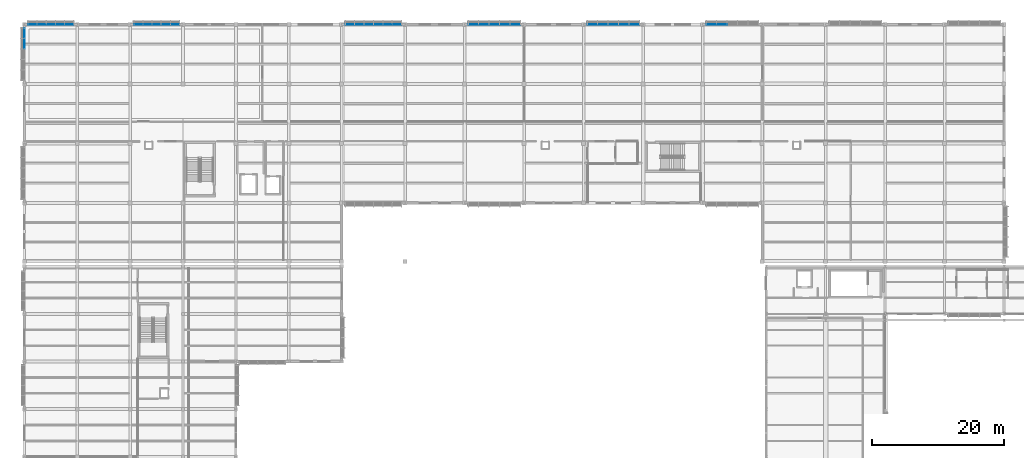
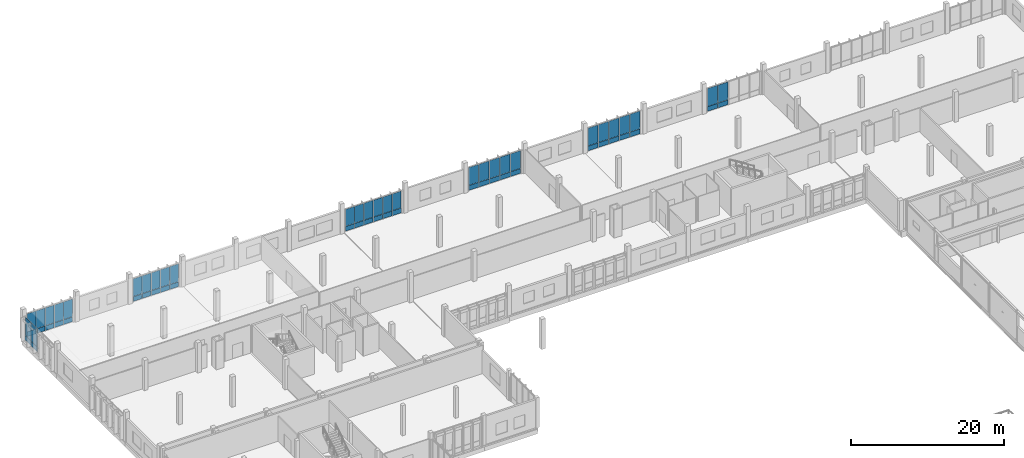
# One storey, part 143 of 177: 60 plates, 7 elements without a shape of their own.
"""IFC4 building model written with IfcOpenShell, lengths in metres."""

from ifc_helpers import new_model, si_unit, direction, frame, origin, origin_2d, place, context, subcontext, project, spatial, rectangle, extrude, material, layer, layer_set, type_object, element, aggregate, save


model = new_model("IFC4")

# Units and contexts
model_context = context("Model", 3, precision=1e-05, world=origin(), true_north=direction((0.0, 1.0)))
body_context = subcontext(model_context, "Body", "Model", "MODEL_VIEW")
ifc_project = project(units=[si_unit("LENGTHUNIT", "METRE"), si_unit("AREAUNIT", "SQUARE_METRE"), si_unit("VOLUMEUNIT", "CUBIC_METRE"), si_unit("PLANEANGLEUNIT", "RADIAN"), si_unit("MASSUNIT", "GRAM", prefix="KILO")], contexts=[model_context])

# Site, building, storey
site_placement = place(None, origin())
site = spatial("IfcSite", under=ifc_project, at=site_placement, CompositionType="ELEMENT")
building_placement = place(site_placement, origin())
building = spatial("IfcBuilding", under=site, at=building_placement, Name="Chiffa Square Polytechnic", CompositionType="ELEMENT")
storey_placement = place(building_placement, frame((0.0, 0.0, 4.800048828125)))
storey = spatial("IfcBuildingStorey", under=building, at=storey_placement, Name="L01", CompositionType="ELEMENT", Elevation=4.800048828125)

# Curtain wall, plates
ifc_material_1 = material(Name="Aluminium EN AW-6060 T66 and glulam shading", Category="wood")
curtain_wall_type_1 = type_object("IfcCurtainWallType", Name="CW-VERT-450X440", PredefinedType="USERDEFINED", material=ifc_material_1)
curtain_wall_1_placement = place(storey_placement, origin())
curtain_wall_1 = element("IfcCurtainWall", 1, at=curtain_wall_1_placement, inside=storey, type_object=curtain_wall_type_1, Name="Curtain wall CW-V5-L01-208", ObjectType="CURTAIN WALL", PredefinedType="USERDEFINED")
ifc_material_2 = material(Name="Double glazing", Category="glass")
ifc_layer_1 = layer(ifc_material_2, 0.035888671875, Name="Double glazing")
ifc_layer_set_1 = layer_set([ifc_layer_1], Name="Double glazing")
plate_type_1 = type_object("IfcPlateType", Name="CWP-GLZ-120X145", PredefinedType="CURTAIN_PANEL", material=ifc_layer_set_1)
plate_1_placement = place(storey_placement, frame((56.339111328125, 130.800048828125, 0.84033203125), z_axis=(0.0, 0.0, 1.0), x_axis=(-1.0, 0.0, 0.0)))
plate_1 = element("IfcPlate", 2, at=plate_1_placement, type_object=plate_type_1, Name="Glazed curtain panel CW-V5-L01-208-PN01", PredefinedType="CURTAIN_PANEL", context=body_context, shape_type="SweptSolid", body=[
    extrude(rectangle(XDim=1.345947265625, YDim=0.035888671875, at=origin_2d()), origin(), (0.0, 0.0, 1.0), 2.675048828125),
])
plate_2_placement = place(storey_placement, frame((54.929931640625, 130.800048828125, 0.84033203125), z_axis=(0.0, 0.0, 1.0), x_axis=(-1.0, 0.0, 0.0)))
plate_2 = element("IfcPlate", 3, at=plate_2_placement, type_object=plate_type_1, Name="Glazed curtain panel CW-V5-L01-208-PN02", PredefinedType="CURTAIN_PANEL", context=body_context, shape_type="SweptSolid", body=[
    extrude(rectangle(XDim=1.367919921875, YDim=0.035888671875, at=origin_2d()), origin(), (0.0, 0.0, 1.0), 2.675048828125),
])
plate_3_placement = place(storey_placement, frame((53.510009765625, 130.800048828125, 0.84033203125), z_axis=(0.0, 0.0, 1.0), x_axis=(-1.0, 0.0, 0.0)))
plate_3 = element("IfcPlate", 4, at=plate_3_placement, type_object=plate_type_1, Name="Glazed curtain panel CW-V5-L01-208-PN03", PredefinedType="CURTAIN_PANEL", context=body_context, shape_type="SweptSolid", body=[
    extrude(rectangle(XDim=1.367919921875, YDim=0.035888671875, at=origin_2d()), origin(), (0.0, 0.0, 1.0), 2.675048828125),
])
plate_4_placement = place(storey_placement, frame((52.090087890625, 130.800048828125, 0.84033203125), z_axis=(0.0, 0.0, 1.0), x_axis=(-1.0, 0.0, 0.0)))
plate_4 = element("IfcPlate", 5, at=plate_4_placement, type_object=plate_type_1, Name="Glazed curtain panel CW-V5-L01-208-PN04", PredefinedType="CURTAIN_PANEL", context=body_context, shape_type="SweptSolid", body=[
    extrude(rectangle(XDim=1.367919921875, YDim=0.035888671875, at=origin_2d()), origin(), (0.0, 0.0, 1.0), 2.675048828125),
])
plate_5_placement = place(storey_placement, frame((50.669921875, 130.800048828125, 0.84033203125), z_axis=(0.0, 0.0, 1.0), x_axis=(-1.0, 0.0, 0.0)))
plate_5 = element("IfcPlate", 6, at=plate_5_placement, type_object=plate_type_1, Name="Glazed curtain panel CW-V5-L01-208-PN05", PredefinedType="CURTAIN_PANEL", context=body_context, shape_type="SweptSolid", body=[
    extrude(rectangle(XDim=1.367919921875, YDim=0.035888671875, at=origin_2d()), origin(), (0.0, 0.0, 1.0), 2.675048828125),
])
plate_6_placement = place(storey_placement, frame((49.260986328125, 130.800048828125, 0.84033203125), z_axis=(0.0, 0.0, 1.0), x_axis=(-1.0, 0.0, 0.0)))
plate_6 = element("IfcPlate", 7, at=plate_6_placement, type_object=plate_type_1, Name="Glazed curtain panel CW-V5-L01-208-PN06", PredefinedType="CURTAIN_PANEL", context=body_context, shape_type="SweptSolid", body=[
    extrude(rectangle(XDim=1.345947265625, YDim=0.035888671875, at=origin_2d()), origin(), (0.0, 0.0, 1.0), 2.675048828125),
])

curtain_wall_type_2 = type_object("IfcCurtainWallType", Name="CW-VERT-360X380", PredefinedType="USERDEFINED", material=ifc_material_1)
curtain_wall_2_placement = place(storey_placement, origin())
curtain_wall_2 = element("IfcCurtainWall", 8, at=curtain_wall_2_placement, inside=storey, type_object=curtain_wall_type_2, Name="Curtain wall CW-V5-L01-205", ObjectType="CURTAIN WALL", PredefinedType="USERDEFINED")
ifc_layer_2 = layer(ifc_material_2, 0.0458984375, Name="Double glazing")
ifc_layer_set_2 = layer_set([ifc_layer_2], Name="Double glazing")
plate_type_2 = type_object("IfcPlateType", Name="CWP-GLZ-128X106", PredefinedType="CURTAIN_PANEL", material=ifc_layer_set_2)
plate_7_placement = place(storey_placement, frame((105.51611328125, 130.800048828125, 0.84033203125), z_axis=(0.0, 0.0, 1.0), x_axis=(-1.0, 0.0, 0.0)))
plate_7 = element("IfcPlate", 9, at=plate_7_placement, type_object=plate_type_2, Name="Glazed curtain panel CW-V5-L01-205-PN04", PredefinedType="CURTAIN_PANEL", context=body_context, shape_type="SweptSolid", body=[
    extrude(rectangle(XDim=1.531982421875, YDim=0.0458984375, at=origin_2d()), origin(), (0.0, 0.0, 1.0), 2.824951171875),
])
plate_8_placement = place(storey_placement, frame((103.943115234375, 130.800048828125, 0.84033203125), z_axis=(0.0, 0.0, 1.0), x_axis=(-1.0, 0.0, 0.0)))
plate_8 = element("IfcPlate", 10, at=plate_8_placement, type_object=plate_type_2, Name="Glazed curtain panel CW-V5-L01-205-PN05", PredefinedType="CURTAIN_PANEL", context=body_context, shape_type="SweptSolid", body=[
    extrude(rectangle(XDim=1.510009765625, YDim=0.0458984375, at=origin_2d()), origin(), (0.0, 0.0, 1.0), 2.824951171875),
])

curtain_wall_type_3 = type_object("IfcCurtainWallType", Name="CW-VERT-300X380", PredefinedType="USERDEFINED", material=ifc_material_1)
curtain_wall_3_placement = place(storey_placement, origin())
curtain_wall_3 = element("IfcCurtainWall", 11, at=curtain_wall_3_placement, inside=storey, type_object=curtain_wall_type_3, Name="Curtain wall CW-V5-L01-211", ObjectType="CURTAIN WALL", PredefinedType="USERDEFINED")
ifc_layer_3 = layer(ifc_material_2, 0.0380859375, Name="Double glazing")
ifc_layer_set_3 = layer_set([ifc_layer_3], Name="Double glazing")
plate_type_3 = type_object("IfcPlateType", Name="CWP-GLZ-146X138", PredefinedType="CURTAIN_PANEL", material=ifc_layer_set_3)
plate_9_placement = place(storey_placement, frame((0.0, 129.45703125, 0.84033203125), z_axis=(0.0, 0.0, 1.0), x_axis=(0.0, -1.0, 0.0)))
plate_9 = element("IfcPlate", 12, at=plate_9_placement, type_object=plate_type_3, Name="Glazed curtain panel CW-V5-L01-211-PN01", PredefinedType="CURTAIN_PANEL", context=body_context, shape_type="SweptSolid", body=[
    extrude(rectangle(XDim=1.510009765625, YDim=0.0380859375, at=origin_2d()), origin(), (0.0, 0.0, 1.0), 2.925048828125),
])
plate_10_placement = place(storey_placement, frame((0.0, 127.884033203125, 0.84033203125), z_axis=(0.0, 0.0, 1.0), x_axis=(0.0, -1.0, 0.0)))
plate_10 = element("IfcPlate", 13, at=plate_10_placement, type_object=plate_type_3, Name="Glazed curtain panel CW-V5-L01-211-PN02", PredefinedType="CURTAIN_PANEL", context=body_context, shape_type="SweptSolid", body=[
    extrude(rectangle(XDim=1.531982421875, YDim=0.0380859375, at=origin_2d()), origin(), (0.0, 0.0, 1.0), 2.925048828125),
])

curtain_wall_type_4 = type_object("IfcCurtainWallType", Name="CW-VERT-450X380", PredefinedType="USERDEFINED", material=ifc_material_1)
curtain_wall_4_placement = place(storey_placement, origin())
curtain_wall_4 = element("IfcCurtainWall", 14, at=curtain_wall_4_placement, inside=storey, type_object=curtain_wall_type_4, Name="Curtain wall CW-V5-L01-210", ObjectType="CURTAIN WALL", PredefinedType="USERDEFINED")
ifc_layer_4 = layer(ifc_material_2, 0.0380859375, Name="Double glazing")
ifc_layer_set_4 = layer_set([ifc_layer_4], Name="Double glazing")
plate_type_4 = type_object("IfcPlateType", Name="CWP-GLZ-148X142", PredefinedType="CURTAIN_PANEL", material=ifc_layer_set_4)
plate_11_placement = place(storey_placement, frame((6.757080078125, 130.800048828125, 0.84033203125), z_axis=(0.0, 0.0, 1.0), x_axis=(-1.0, 0.0, 0.0)))
plate_11 = element("IfcPlate", 15, at=plate_11_placement, type_object=plate_type_4, Name="Glazed curtain panel CW-V5-L01-210-PN01", PredefinedType="CURTAIN_PANEL", context=body_context, shape_type="SweptSolid", body=[
    extrude(rectangle(XDim=1.31005859375, YDim=0.0380859375, at=origin_2d()), origin(), (0.0, 0.0, 1.0), 2.824951171875),
])
plate_12_placement = place(storey_placement, frame((5.384033203125, 130.800048828125, 0.84033203125), z_axis=(0.0, 0.0, 1.0), x_axis=(-1.0, 0.0, 0.0)))
plate_12 = element("IfcPlate", 16, at=plate_12_placement, type_object=plate_type_4, Name="Glazed curtain panel CW-V5-L01-210-PN02", PredefinedType="CURTAIN_PANEL", context=body_context, shape_type="SweptSolid", body=[
    extrude(rectangle(XDim=1.33203125, YDim=0.0380859375, at=origin_2d()), origin(), (0.0, 0.0, 1.0), 2.824951171875),
])
plate_13_placement = place(storey_placement, frame((4.0, 130.800048828125, 0.84033203125), z_axis=(0.0, 0.0, 1.0), x_axis=(-1.0, 0.0, 0.0)))
plate_13 = element("IfcPlate", 17, at=plate_13_placement, type_object=plate_type_4, Name="Glazed curtain panel CW-V5-L01-210-PN03", PredefinedType="CURTAIN_PANEL", context=body_context, shape_type="SweptSolid", body=[
    extrude(rectangle(XDim=1.33203125, YDim=0.0380859375, at=origin_2d()), origin(), (0.0, 0.0, 1.0), 2.824951171875),
])
plate_14_placement = place(storey_placement, frame((2.615966796875, 130.800048828125, 0.84033203125), z_axis=(0.0, 0.0, 1.0), x_axis=(-1.0, 0.0, 0.0)))
plate_14 = element("IfcPlate", 18, at=plate_14_placement, type_object=plate_type_4, Name="Glazed curtain panel CW-V5-L01-210-PN04", PredefinedType="CURTAIN_PANEL", context=body_context, shape_type="SweptSolid", body=[
    extrude(rectangle(XDim=1.33203125, YDim=0.0380859375, at=origin_2d()), origin(), (0.0, 0.0, 1.0), 2.824951171875),
])
plate_15_placement = place(storey_placement, frame((1.242919921875, 130.800048828125, 0.84033203125), z_axis=(0.0, 0.0, 1.0), x_axis=(-1.0, 0.0, 0.0)))
plate_15 = element("IfcPlate", 19, at=plate_15_placement, type_object=plate_type_4, Name="Glazed curtain panel CW-V5-L01-210-PN05", PredefinedType="CURTAIN_PANEL", context=body_context, shape_type="SweptSolid", body=[
    extrude(rectangle(XDim=1.31005859375, YDim=0.0380859375, at=origin_2d()), origin(), (0.0, 0.0, 1.0), 2.824951171875),
])

curtain_wall_type_5 = type_object("IfcCurtainWallType", Name="CW-VERT-540X440", PredefinedType="USERDEFINED", material=ifc_material_1)
curtain_wall_5_placement = place(storey_placement, origin())
curtain_wall_5 = element("IfcCurtainWall", 20, at=curtain_wall_5_placement, inside=storey, type_object=curtain_wall_type_5, Name="Curtain wall CW-V5-L01-207", ObjectType="CURTAIN WALL", PredefinedType="USERDEFINED")
ifc_layer_5 = layer(ifc_material_2, 0.035888671875, Name="Double glazing")
ifc_layer_set_5 = layer_set([ifc_layer_5], Name="Double glazing")
plate_type_5 = type_object("IfcPlateType", Name="CWP-GLZ-150X125", PredefinedType="CURTAIN_PANEL", material=ifc_layer_set_5)
plate_16_placement = place(storey_placement, frame((74.257080078125, 130.800048828125, 0.84033203125), z_axis=(0.0, 0.0, 1.0), x_axis=(-1.0, 0.0, 0.0)))
plate_16 = element("IfcPlate", 21, at=plate_16_placement, type_object=plate_type_5, Name="Glazed curtain panel CW-V5-L01-207-PN01", PredefinedType="CURTAIN_PANEL", context=body_context, shape_type="SweptSolid", body=[
    extrude(rectangle(XDim=1.510009765625, YDim=0.035888671875, at=origin_2d()), origin(), (0.0, 0.0, 1.0), 2.824951171875),
])
plate_17_placement = place(storey_placement, frame((72.68408203125, 130.800048828125, 0.84033203125), z_axis=(0.0, 0.0, 1.0), x_axis=(-1.0, 0.0, 0.0)))
plate_17 = element("IfcPlate", 22, at=plate_17_placement, type_object=plate_type_5, Name="Glazed curtain panel CW-V5-L01-207-PN02", PredefinedType="CURTAIN_PANEL", context=body_context, shape_type="SweptSolid", body=[
    extrude(rectangle(XDim=1.531982421875, YDim=0.035888671875, at=origin_2d()), origin(), (0.0, 0.0, 1.0), 2.824951171875),
])
plate_18_placement = place(storey_placement, frame((71.10009765625, 130.800048828125, 0.84033203125), z_axis=(0.0, 0.0, 1.0), x_axis=(-1.0, 0.0, 0.0)))
plate_18 = element("IfcPlate", 23, at=plate_18_placement, type_object=plate_type_5, Name="Glazed curtain panel CW-V5-L01-207-PN03", PredefinedType="CURTAIN_PANEL", context=body_context, shape_type="SweptSolid", body=[
    extrude(rectangle(XDim=1.531982421875, YDim=0.035888671875, at=origin_2d()), origin(), (0.0, 0.0, 1.0), 2.824951171875),
])
plate_19_placement = place(storey_placement, frame((69.51611328125, 130.800048828125, 0.84033203125), z_axis=(0.0, 0.0, 1.0), x_axis=(-1.0, 0.0, 0.0)))
plate_19 = element("IfcPlate", 24, at=plate_19_placement, type_object=plate_type_5, Name="Glazed curtain panel CW-V5-L01-207-PN04", PredefinedType="CURTAIN_PANEL", context=body_context, shape_type="SweptSolid", body=[
    extrude(rectangle(XDim=1.531982421875, YDim=0.035888671875, at=origin_2d()), origin(), (0.0, 0.0, 1.0), 2.824951171875),
])
plate_20_placement = place(storey_placement, frame((67.943115234375, 130.800048828125, 0.84033203125), z_axis=(0.0, 0.0, 1.0), x_axis=(-1.0, 0.0, 0.0)))
plate_20 = element("IfcPlate", 25, at=plate_20_placement, type_object=plate_type_5, Name="Glazed curtain panel CW-V5-L01-207-PN05", PredefinedType="CURTAIN_PANEL", context=body_context, shape_type="SweptSolid", body=[
    extrude(rectangle(XDim=1.510009765625, YDim=0.035888671875, at=origin_2d()), origin(), (0.0, 0.0, 1.0), 2.824951171875),
])

curtain_wall_type_6 = type_object("IfcCurtainWallType", Name="CW-VERT-480X380", PredefinedType="USERDEFINED", material=ifc_material_1)
curtain_wall_6_placement = place(storey_placement, origin())
curtain_wall_6 = element("IfcCurtainWall", 26, at=curtain_wall_6_placement, inside=storey, type_object=curtain_wall_type_6, Name="Curtain wall CW-V5-L01-206", ObjectType="CURTAIN WALL", PredefinedType="USERDEFINED")
ifc_layer_6 = layer(ifc_material_2, 0.035888671875, Name="Double glazing")
ifc_layer_set_6 = layer_set([ifc_layer_6], Name="Double glazing")
plate_type_6 = type_object("IfcPlateType", Name="CWP-GLZ-150X145", PredefinedType="CURTAIN_PANEL", material=ifc_layer_set_6)
plate_21_placement = place(storey_placement, frame((92.257080078125, 130.800048828125, 0.84033203125), z_axis=(0.0, 0.0, 1.0), x_axis=(-1.0, 0.0, 0.0)))
plate_21 = element("IfcPlate", 27, at=plate_21_placement, type_object=plate_type_6, Name="Glazed curtain panel CW-V5-L01-206-PN01", PredefinedType="CURTAIN_PANEL", context=body_context, shape_type="SweptSolid", body=[
    extrude(rectangle(XDim=1.510009765625, YDim=0.035888671875, at=origin_2d()), origin(), (0.0, 0.0, 1.0), 2.824951171875),
])
plate_22_placement = place(storey_placement, frame((90.68408203125, 130.800048828125, 0.84033203125), z_axis=(0.0, 0.0, 1.0), x_axis=(-1.0, 0.0, 0.0)))
plate_22 = element("IfcPlate", 28, at=plate_22_placement, type_object=plate_type_6, Name="Glazed curtain panel CW-V5-L01-206-PN02", PredefinedType="CURTAIN_PANEL", context=body_context, shape_type="SweptSolid", body=[
    extrude(rectangle(XDim=1.531982421875, YDim=0.035888671875, at=origin_2d()), origin(), (0.0, 0.0, 1.0), 2.824951171875),
])
plate_23_placement = place(storey_placement, frame((89.10009765625, 130.800048828125, 0.84033203125), z_axis=(0.0, 0.0, 1.0), x_axis=(-1.0, 0.0, 0.0)))
plate_23 = element("IfcPlate", 29, at=plate_23_placement, type_object=plate_type_6, Name="Glazed curtain panel CW-V5-L01-206-PN03", PredefinedType="CURTAIN_PANEL", context=body_context, shape_type="SweptSolid", body=[
    extrude(rectangle(XDim=1.531982421875, YDim=0.035888671875, at=origin_2d()), origin(), (0.0, 0.0, 1.0), 2.824951171875),
])
plate_24_placement = place(storey_placement, frame((87.51611328125, 130.800048828125, 0.84033203125), z_axis=(0.0, 0.0, 1.0), x_axis=(-1.0, 0.0, 0.0)))
plate_24 = element("IfcPlate", 30, at=plate_24_placement, type_object=plate_type_6, Name="Glazed curtain panel CW-V5-L01-206-PN04", PredefinedType="CURTAIN_PANEL", context=body_context, shape_type="SweptSolid", body=[
    extrude(rectangle(XDim=1.531982421875, YDim=0.035888671875, at=origin_2d()), origin(), (0.0, 0.0, 1.0), 2.824951171875),
])
plate_25_placement = place(storey_placement, frame((85.943115234375, 130.800048828125, 0.84033203125), z_axis=(0.0, 0.0, 1.0), x_axis=(-1.0, 0.0, 0.0)))
plate_25 = element("IfcPlate", 31, at=plate_25_placement, type_object=plate_type_6, Name="Glazed curtain panel CW-V5-L01-206-PN05", PredefinedType="CURTAIN_PANEL", context=body_context, shape_type="SweptSolid", body=[
    extrude(rectangle(XDim=1.510009765625, YDim=0.035888671875, at=origin_2d()), origin(), (0.0, 0.0, 1.0), 2.824951171875),
])

curtain_wall_type_7 = type_object("IfcCurtainWallType", Name="CW-VERT-600X440", PredefinedType="USERDEFINED", material=ifc_material_1)
curtain_wall_7_placement = place(storey_placement, origin())
curtain_wall_7 = element("IfcCurtainWall", 32, at=curtain_wall_7_placement, inside=storey, type_object=curtain_wall_type_7, Name="Curtain wall CW-V5-L01-209", ObjectType="CURTAIN WALL", PredefinedType="USERDEFINED")
ifc_layer_7 = layer(ifc_material_2, 0.035888671875, Name="Double glazing")
ifc_layer_set_7 = layer_set([ifc_layer_7], Name="Double glazing")
plate_type_7 = type_object("IfcPlateType", Name="CWP-GLZ-180X140", PredefinedType="CURTAIN_PANEL", material=ifc_layer_set_7)
plate_26_placement = place(storey_placement, frame((22.757080078125, 130.800048828125, 0.84033203125), z_axis=(0.0, 0.0, 1.0), x_axis=(-1.0, 0.0, 0.0)))
plate_26 = element("IfcPlate", 33, at=plate_26_placement, type_object=plate_type_7, Name="Glazed curtain panel CW-V5-L01-209-PN01", PredefinedType="CURTAIN_PANEL", context=body_context, shape_type="SweptSolid", body=[
    extrude(rectangle(XDim=1.31005859375, YDim=0.035888671875, at=origin_2d()), origin(), (0.0, 0.0, 1.0), 2.824951171875),
])
plate_27_placement = place(storey_placement, frame((21.384033203125, 130.800048828125, 0.84033203125), z_axis=(0.0, 0.0, 1.0), x_axis=(-1.0, 0.0, 0.0)))
plate_27 = element("IfcPlate", 34, at=plate_27_placement, type_object=plate_type_7, Name="Glazed curtain panel CW-V5-L01-209-PN02", PredefinedType="CURTAIN_PANEL", context=body_context, shape_type="SweptSolid", body=[
    extrude(rectangle(XDim=1.33203125, YDim=0.035888671875, at=origin_2d()), origin(), (0.0, 0.0, 1.0), 2.824951171875),
])
plate_28_placement = place(storey_placement, frame((20.0, 130.800048828125, 0.84033203125), z_axis=(0.0, 0.0, 1.0), x_axis=(-1.0, 0.0, 0.0)))
plate_28 = element("IfcPlate", 35, at=plate_28_placement, type_object=plate_type_7, Name="Glazed curtain panel CW-V5-L01-209-PN03", PredefinedType="CURTAIN_PANEL", context=body_context, shape_type="SweptSolid", body=[
    extrude(rectangle(XDim=1.33203125, YDim=0.035888671875, at=origin_2d()), origin(), (0.0, 0.0, 1.0), 2.824951171875),
])
plate_29_placement = place(storey_placement, frame((18.615966796875, 130.800048828125, 0.84033203125), z_axis=(0.0, 0.0, 1.0), x_axis=(-1.0, 0.0, 0.0)))
plate_29 = element("IfcPlate", 36, at=plate_29_placement, type_object=plate_type_7, Name="Glazed curtain panel CW-V5-L01-209-PN04", PredefinedType="CURTAIN_PANEL", context=body_context, shape_type="SweptSolid", body=[
    extrude(rectangle(XDim=1.33203125, YDim=0.035888671875, at=origin_2d()), origin(), (0.0, 0.0, 1.0), 2.824951171875),
])
plate_30_placement = place(storey_placement, frame((17.242919921875, 130.800048828125, 0.84033203125), z_axis=(0.0, 0.0, 1.0), x_axis=(-1.0, 0.0, 0.0)))
plate_30 = element("IfcPlate", 37, at=plate_30_placement, type_object=plate_type_7, Name="Glazed curtain panel CW-V5-L01-209-PN05", PredefinedType="CURTAIN_PANEL", context=body_context, shape_type="SweptSolid", body=[
    extrude(rectangle(XDim=1.31005859375, YDim=0.035888671875, at=origin_2d()), origin(), (0.0, 0.0, 1.0), 2.824951171875),
])

# Plate
ifc_material_3 = material(Name="Aluminium insulated spandrel", Category="aluminium")
ifc_layer_8 = layer(ifc_material_3, 0.072021484375, Name="Aluminium insulated spandrel")
ifc_layer_set_8 = layer_set([ifc_layer_8], Name="Aluminium insulated spandrel")
plate_type_8 = type_object("IfcPlateType", Name="CWP-SPN-136X072", PredefinedType="SHEET", material=ifc_layer_set_8)
plate_31_placement = place(storey_placement, frame((105.51611328125, 130.800048828125, 0.050048828125), z_axis=(0.0, 0.0, 1.0), x_axis=(-1.0, 0.0, 0.0)))
plate_31 = element("IfcPlate", 38, at=plate_31_placement, type_object=plate_type_8, Name="Spandrel panel CW-V5-L01-205-SP04", PredefinedType="SHEET", context=body_context, shape_type="SweptSolid", body=[
    extrude(rectangle(XDim=1.531982421875, YDim=0.072021484375, at=origin_2d()), origin(), (0.0, 0.0, 1.0), 0.75),
])

plate_32_placement = place(storey_placement, frame((103.943115234375, 130.800048828125, 0.050048828125), z_axis=(0.0, 0.0, 1.0), x_axis=(-1.0, 0.0, 0.0)))
plate_32 = element("IfcPlate", 39, at=plate_32_placement, type_object=plate_type_8, Name="Spandrel panel CW-V5-L01-205-SP05", PredefinedType="SHEET", context=body_context, shape_type="SweptSolid", body=[
    extrude(rectangle(XDim=1.510009765625, YDim=0.072021484375, at=origin_2d()), origin(), (0.0, 0.0, 1.0), 0.75),
])

aggregate(curtain_wall_2, [plate_31, plate_7, plate_32, plate_8])

ifc_layer_9 = layer(ifc_material_3, 0.068115234375, Name="Aluminium insulated spandrel")
ifc_layer_set_9 = layer_set([ifc_layer_9], Name="Aluminium insulated spandrel")
plate_type_9 = type_object("IfcPlateType", Name="CWP-SPN-140X076", PredefinedType="SHEET", material=ifc_layer_set_9)
plate_33_placement = place(storey_placement, frame((0.0, 129.45703125, 0.050048828125), z_axis=(0.0, 0.0, 1.0), x_axis=(0.0, -1.0, 0.0)))
plate_33 = element("IfcPlate", 40, at=plate_33_placement, type_object=plate_type_9, Name="Spandrel panel CW-V5-L01-211-SP01", PredefinedType="SHEET", context=body_context, shape_type="SweptSolid", body=[
    extrude(rectangle(XDim=1.510009765625, YDim=0.068115234375, at=origin_2d()), origin(), (0.0, 0.0, 1.0), 0.75),
])

plate_34_placement = place(storey_placement, frame((0.0, 127.884033203125, 0.050048828125), z_axis=(0.0, 0.0, 1.0), x_axis=(0.0, -1.0, 0.0)))
plate_34 = element("IfcPlate", 41, at=plate_34_placement, type_object=plate_type_9, Name="Spandrel panel CW-V5-L01-211-SP02", PredefinedType="SHEET", context=body_context, shape_type="SweptSolid", body=[
    extrude(rectangle(XDim=1.531982421875, YDim=0.068115234375, at=origin_2d()), origin(), (0.0, 0.0, 1.0), 0.75),
])

aggregate(curtain_wall_3, [plate_33, plate_9, plate_34, plate_10])

ifc_layer_10 = layer(ifc_material_3, 0.06591796875, Name="Aluminium insulated spandrel")
ifc_layer_set_10 = layer_set([ifc_layer_10], Name="Aluminium insulated spandrel")
plate_type_10 = type_object("IfcPlateType", Name="CWP-SPN-144X078", PredefinedType="SHEET", material=ifc_layer_set_10)
plate_35_placement = place(storey_placement, frame((6.757080078125, 130.800048828125, 0.050048828125), z_axis=(0.0, 0.0, 1.0), x_axis=(-1.0, 0.0, 0.0)))
plate_35 = element("IfcPlate", 42, at=plate_35_placement, type_object=plate_type_10, Name="Spandrel panel CW-V5-L01-210-SP01", PredefinedType="SHEET", context=body_context, shape_type="SweptSolid", body=[
    extrude(rectangle(XDim=1.31005859375, YDim=0.06591796875, at=origin_2d()), origin(), (0.0, 0.0, 1.0), 0.75),
])

plate_36_placement = place(storey_placement, frame((5.384033203125, 130.800048828125, 0.050048828125), z_axis=(0.0, 0.0, 1.0), x_axis=(-1.0, 0.0, 0.0)))
plate_36 = element("IfcPlate", 43, at=plate_36_placement, type_object=plate_type_10, Name="Spandrel panel CW-V5-L01-210-SP02", PredefinedType="SHEET", context=body_context, shape_type="SweptSolid", body=[
    extrude(rectangle(XDim=1.33203125, YDim=0.06591796875, at=origin_2d()), origin(), (0.0, 0.0, 1.0), 0.75),
])

plate_37_placement = place(storey_placement, frame((4.0, 130.800048828125, 0.050048828125), z_axis=(0.0, 0.0, 1.0), x_axis=(-1.0, 0.0, 0.0)))
plate_37 = element("IfcPlate", 44, at=plate_37_placement, type_object=plate_type_10, Name="Spandrel panel CW-V5-L01-210-SP03", PredefinedType="SHEET", context=body_context, shape_type="SweptSolid", body=[
    extrude(rectangle(XDim=1.33203125, YDim=0.06591796875, at=origin_2d()), origin(), (0.0, 0.0, 1.0), 0.75),
])

plate_38_placement = place(storey_placement, frame((2.615966796875, 130.800048828125, 0.050048828125), z_axis=(0.0, 0.0, 1.0), x_axis=(-1.0, 0.0, 0.0)))
plate_38 = element("IfcPlate", 45, at=plate_38_placement, type_object=plate_type_10, Name="Spandrel panel CW-V5-L01-210-SP04", PredefinedType="SHEET", context=body_context, shape_type="SweptSolid", body=[
    extrude(rectangle(XDim=1.33203125, YDim=0.06591796875, at=origin_2d()), origin(), (0.0, 0.0, 1.0), 0.75),
])

plate_39_placement = place(storey_placement, frame((1.242919921875, 130.800048828125, 0.050048828125), z_axis=(0.0, 0.0, 1.0), x_axis=(-1.0, 0.0, 0.0)))
plate_39 = element("IfcPlate", 46, at=plate_39_placement, type_object=plate_type_10, Name="Spandrel panel CW-V5-L01-210-SP05", PredefinedType="SHEET", context=body_context, shape_type="SweptSolid", body=[
    extrude(rectangle(XDim=1.31005859375, YDim=0.06591796875, at=origin_2d()), origin(), (0.0, 0.0, 1.0), 0.75),
])

aggregate(curtain_wall_4, [plate_35, plate_11, plate_36, plate_12, plate_37, plate_13, plate_38, plate_14, plate_39, plate_15])

ifc_layer_11 = layer(ifc_material_3, 0.06396484375, Name="Aluminium insulated spandrel")
ifc_layer_set_11 = layer_set([ifc_layer_11], Name="Aluminium insulated spandrel")
plate_type_11 = type_object("IfcPlateType", Name="CWP-SPN-146X082", PredefinedType="SHEET", material=ifc_layer_set_11)
plate_40_placement = place(storey_placement, frame((22.757080078125, 130.800048828125, 0.050048828125), z_axis=(0.0, 0.0, 1.0), x_axis=(-1.0, 0.0, 0.0)))
plate_40 = element("IfcPlate", 47, at=plate_40_placement, type_object=plate_type_11, Name="Spandrel panel CW-V5-L01-209-SP01", PredefinedType="SHEET", context=body_context, shape_type="SweptSolid", body=[
    extrude(rectangle(XDim=1.31005859375, YDim=0.06396484375, at=origin_2d()), origin(), (0.0, 0.0, 1.0), 0.75),
])

plate_41_placement = place(storey_placement, frame((21.384033203125, 130.800048828125, 0.050048828125), z_axis=(0.0, 0.0, 1.0), x_axis=(-1.0, 0.0, 0.0)))
plate_41 = element("IfcPlate", 48, at=plate_41_placement, type_object=plate_type_11, Name="Spandrel panel CW-V5-L01-209-SP02", PredefinedType="SHEET", context=body_context, shape_type="SweptSolid", body=[
    extrude(rectangle(XDim=1.33203125, YDim=0.06396484375, at=origin_2d()), origin(), (0.0, 0.0, 1.0), 0.75),
])

plate_42_placement = place(storey_placement, frame((20.0, 130.800048828125, 0.050048828125), z_axis=(0.0, 0.0, 1.0), x_axis=(-1.0, 0.0, 0.0)))
plate_42 = element("IfcPlate", 49, at=plate_42_placement, type_object=plate_type_11, Name="Spandrel panel CW-V5-L01-209-SP03", PredefinedType="SHEET", context=body_context, shape_type="SweptSolid", body=[
    extrude(rectangle(XDim=1.33203125, YDim=0.06396484375, at=origin_2d()), origin(), (0.0, 0.0, 1.0), 0.75),
])

plate_43_placement = place(storey_placement, frame((18.615966796875, 130.800048828125, 0.050048828125), z_axis=(0.0, 0.0, 1.0), x_axis=(-1.0, 0.0, 0.0)))
plate_43 = element("IfcPlate", 50, at=plate_43_placement, type_object=plate_type_11, Name="Spandrel panel CW-V5-L01-209-SP04", PredefinedType="SHEET", context=body_context, shape_type="SweptSolid", body=[
    extrude(rectangle(XDim=1.33203125, YDim=0.06396484375, at=origin_2d()), origin(), (0.0, 0.0, 1.0), 0.75),
])

plate_44_placement = place(storey_placement, frame((17.242919921875, 130.800048828125, 0.050048828125), z_axis=(0.0, 0.0, 1.0), x_axis=(-1.0, 0.0, 0.0)))
plate_44 = element("IfcPlate", 51, at=plate_44_placement, type_object=plate_type_11, Name="Spandrel panel CW-V5-L01-209-SP05", PredefinedType="SHEET", context=body_context, shape_type="SweptSolid", body=[
    extrude(rectangle(XDim=1.31005859375, YDim=0.06396484375, at=origin_2d()), origin(), (0.0, 0.0, 1.0), 0.75),
])

aggregate(curtain_wall_7, [plate_40, plate_26, plate_41, plate_27, plate_42, plate_28, plate_43, plate_29, plate_44, plate_30])

ifc_layer_12 = layer(ifc_material_3, 0.06201171875, Name="Aluminium insulated spandrel")
ifc_layer_set_12 = layer_set([ifc_layer_12], Name="Aluminium insulated spandrel")
plate_type_12 = type_object("IfcPlateType", Name="CWP-SPN-148X084", PredefinedType="SHEET", material=ifc_layer_set_12)
plate_45_placement = place(storey_placement, frame((56.339111328125, 130.800048828125, 0.050048828125), z_axis=(0.0, 0.0, 1.0), x_axis=(-1.0, 0.0, 0.0)))
plate_45 = element("IfcPlate", 52, at=plate_45_placement, type_object=plate_type_12, Name="Spandrel panel CW-V5-L01-208-SP01", PredefinedType="SHEET", context=body_context, shape_type="SweptSolid", body=[
    extrude(rectangle(XDim=1.345947265625, YDim=0.06201171875, at=origin_2d()), origin(), (0.0, 0.0, 1.0), 0.75),
])

plate_46_placement = place(storey_placement, frame((54.929931640625, 130.800048828125, 0.050048828125), z_axis=(0.0, 0.0, 1.0), x_axis=(-1.0, 0.0, 0.0)))
plate_46 = element("IfcPlate", 53, at=plate_46_placement, type_object=plate_type_12, Name="Spandrel panel CW-V5-L01-208-SP02", PredefinedType="SHEET", context=body_context, shape_type="SweptSolid", body=[
    extrude(rectangle(XDim=1.367919921875, YDim=0.06201171875, at=origin_2d()), origin(), (0.0, 0.0, 1.0), 0.75),
])

plate_47_placement = place(storey_placement, frame((53.510009765625, 130.800048828125, 0.050048828125), z_axis=(0.0, 0.0, 1.0), x_axis=(-1.0, 0.0, 0.0)))
plate_47 = element("IfcPlate", 54, at=plate_47_placement, type_object=plate_type_12, Name="Spandrel panel CW-V5-L01-208-SP03", PredefinedType="SHEET", context=body_context, shape_type="SweptSolid", body=[
    extrude(rectangle(XDim=1.367919921875, YDim=0.06201171875, at=origin_2d()), origin(), (0.0, 0.0, 1.0), 0.75),
])

plate_48_placement = place(storey_placement, frame((52.090087890625, 130.800048828125, 0.050048828125), z_axis=(0.0, 0.0, 1.0), x_axis=(-1.0, 0.0, 0.0)))
plate_48 = element("IfcPlate", 55, at=plate_48_placement, type_object=plate_type_12, Name="Spandrel panel CW-V5-L01-208-SP04", PredefinedType="SHEET", context=body_context, shape_type="SweptSolid", body=[
    extrude(rectangle(XDim=1.367919921875, YDim=0.06201171875, at=origin_2d()), origin(), (0.0, 0.0, 1.0), 0.75),
])

plate_49_placement = place(storey_placement, frame((50.669921875, 130.800048828125, 0.050048828125), z_axis=(0.0, 0.0, 1.0), x_axis=(-1.0, 0.0, 0.0)))
plate_49 = element("IfcPlate", 56, at=plate_49_placement, type_object=plate_type_12, Name="Spandrel panel CW-V5-L01-208-SP05", PredefinedType="SHEET", context=body_context, shape_type="SweptSolid", body=[
    extrude(rectangle(XDim=1.367919921875, YDim=0.06201171875, at=origin_2d()), origin(), (0.0, 0.0, 1.0), 0.75),
])

plate_50_placement = place(storey_placement, frame((49.260986328125, 130.800048828125, 0.050048828125), z_axis=(0.0, 0.0, 1.0), x_axis=(-1.0, 0.0, 0.0)))
plate_50 = element("IfcPlate", 57, at=plate_50_placement, type_object=plate_type_12, Name="Spandrel panel CW-V5-L01-208-SP06", PredefinedType="SHEET", context=body_context, shape_type="SweptSolid", body=[
    extrude(rectangle(XDim=1.345947265625, YDim=0.06201171875, at=origin_2d()), origin(), (0.0, 0.0, 1.0), 0.75),
])

aggregate(curtain_wall_1, [plate_45, plate_1, plate_46, plate_2, plate_47, plate_3, plate_48, plate_4, plate_49, plate_5, plate_50, plate_6])

ifc_layer_13 = layer(ifc_material_3, 0.06005859375, Name="Aluminium insulated spandrel")
ifc_layer_set_13 = layer_set([ifc_layer_13], Name="Aluminium insulated spandrel")
plate_type_13 = type_object("IfcPlateType", Name="CWP-SPN-150X080", PredefinedType="SHEET", material=ifc_layer_set_13)
plate_51_placement = place(storey_placement, frame((74.257080078125, 130.800048828125, 0.050048828125), z_axis=(0.0, 0.0, 1.0), x_axis=(-1.0, 0.0, 0.0)))
plate_51 = element("IfcPlate", 58, at=plate_51_placement, type_object=plate_type_13, Name="Spandrel panel CW-V5-L01-207-SP01", PredefinedType="SHEET", context=body_context, shape_type="SweptSolid", body=[
    extrude(rectangle(XDim=1.510009765625, YDim=0.06005859375, at=origin_2d()), origin(), (0.0, 0.0, 1.0), 0.75),
])

plate_52_placement = place(storey_placement, frame((72.68408203125, 130.800048828125, 0.050048828125), z_axis=(0.0, 0.0, 1.0), x_axis=(-1.0, 0.0, 0.0)))
plate_52 = element("IfcPlate", 59, at=plate_52_placement, type_object=plate_type_13, Name="Spandrel panel CW-V5-L01-207-SP02", PredefinedType="SHEET", context=body_context, shape_type="SweptSolid", body=[
    extrude(rectangle(XDim=1.531982421875, YDim=0.06005859375, at=origin_2d()), origin(), (0.0, 0.0, 1.0), 0.75),
])

plate_53_placement = place(storey_placement, frame((71.10009765625, 130.800048828125, 0.050048828125), z_axis=(0.0, 0.0, 1.0), x_axis=(-1.0, 0.0, 0.0)))
plate_53 = element("IfcPlate", 60, at=plate_53_placement, type_object=plate_type_13, Name="Spandrel panel CW-V5-L01-207-SP03", PredefinedType="SHEET", context=body_context, shape_type="SweptSolid", body=[
    extrude(rectangle(XDim=1.531982421875, YDim=0.06005859375, at=origin_2d()), origin(), (0.0, 0.0, 1.0), 0.75),
])

plate_54_placement = place(storey_placement, frame((69.51611328125, 130.800048828125, 0.050048828125), z_axis=(0.0, 0.0, 1.0), x_axis=(-1.0, 0.0, 0.0)))
plate_54 = element("IfcPlate", 61, at=plate_54_placement, type_object=plate_type_13, Name="Spandrel panel CW-V5-L01-207-SP04", PredefinedType="SHEET", context=body_context, shape_type="SweptSolid", body=[
    extrude(rectangle(XDim=1.531982421875, YDim=0.06005859375, at=origin_2d()), origin(), (0.0, 0.0, 1.0), 0.75),
])

plate_55_placement = place(storey_placement, frame((67.943115234375, 130.800048828125, 0.050048828125), z_axis=(0.0, 0.0, 1.0), x_axis=(-1.0, 0.0, 0.0)))
plate_55 = element("IfcPlate", 62, at=plate_55_placement, type_object=plate_type_13, Name="Spandrel panel CW-V5-L01-207-SP05", PredefinedType="SHEET", context=body_context, shape_type="SweptSolid", body=[
    extrude(rectangle(XDim=1.510009765625, YDim=0.06005859375, at=origin_2d()), origin(), (0.0, 0.0, 1.0), 0.75),
])

aggregate(curtain_wall_5, [plate_51, plate_16, plate_52, plate_17, plate_53, plate_18, plate_54, plate_19, plate_55, plate_20])

ifc_layer_14 = layer(ifc_material_3, 0.06005859375, Name="Aluminium insulated spandrel")
ifc_layer_set_14 = layer_set([ifc_layer_14], Name="Aluminium insulated spandrel")
plate_type_14 = type_object("IfcPlateType", Name="CWP-SPN-150X095", PredefinedType="SHEET", material=ifc_layer_set_14)
plate_56_placement = place(storey_placement, frame((92.257080078125, 130.800048828125, 0.050048828125), z_axis=(0.0, 0.0, 1.0), x_axis=(-1.0, 0.0, 0.0)))
plate_56 = element("IfcPlate", 63, at=plate_56_placement, type_object=plate_type_14, Name="Spandrel panel CW-V5-L01-206-SP01", PredefinedType="SHEET", context=body_context, shape_type="SweptSolid", body=[
    extrude(rectangle(XDim=1.510009765625, YDim=0.06005859375, at=origin_2d()), origin(), (0.0, 0.0, 1.0), 0.75),
])

plate_57_placement = place(storey_placement, frame((90.68408203125, 130.800048828125, 0.050048828125), z_axis=(0.0, 0.0, 1.0), x_axis=(-1.0, 0.0, 0.0)))
plate_57 = element("IfcPlate", 64, at=plate_57_placement, type_object=plate_type_14, Name="Spandrel panel CW-V5-L01-206-SP02", PredefinedType="SHEET", context=body_context, shape_type="SweptSolid", body=[
    extrude(rectangle(XDim=1.531982421875, YDim=0.06005859375, at=origin_2d()), origin(), (0.0, 0.0, 1.0), 0.75),
])

plate_58_placement = place(storey_placement, frame((89.10009765625, 130.800048828125, 0.050048828125), z_axis=(0.0, 0.0, 1.0), x_axis=(-1.0, 0.0, 0.0)))
plate_58 = element("IfcPlate", 65, at=plate_58_placement, type_object=plate_type_14, Name="Spandrel panel CW-V5-L01-206-SP03", PredefinedType="SHEET", context=body_context, shape_type="SweptSolid", body=[
    extrude(rectangle(XDim=1.531982421875, YDim=0.06005859375, at=origin_2d()), origin(), (0.0, 0.0, 1.0), 0.75),
])

plate_59_placement = place(storey_placement, frame((87.51611328125, 130.800048828125, 0.050048828125), z_axis=(0.0, 0.0, 1.0), x_axis=(-1.0, 0.0, 0.0)))
plate_59 = element("IfcPlate", 66, at=plate_59_placement, type_object=plate_type_14, Name="Spandrel panel CW-V5-L01-206-SP04", PredefinedType="SHEET", context=body_context, shape_type="SweptSolid", body=[
    extrude(rectangle(XDim=1.531982421875, YDim=0.06005859375, at=origin_2d()), origin(), (0.0, 0.0, 1.0), 0.75),
])

plate_60_placement = place(storey_placement, frame((85.943115234375, 130.800048828125, 0.050048828125), z_axis=(0.0, 0.0, 1.0), x_axis=(-1.0, 0.0, 0.0)))
plate_60 = element("IfcPlate", 67, at=plate_60_placement, type_object=plate_type_14, Name="Spandrel panel CW-V5-L01-206-SP05", PredefinedType="SHEET", context=body_context, shape_type="SweptSolid", body=[
    extrude(rectangle(XDim=1.510009765625, YDim=0.06005859375, at=origin_2d()), origin(), (0.0, 0.0, 1.0), 0.75),
])

aggregate(curtain_wall_6, [plate_56, plate_21, plate_57, plate_22, plate_58, plate_23, plate_59, plate_24, plate_60, plate_25])

save(model, "model.ifc")
